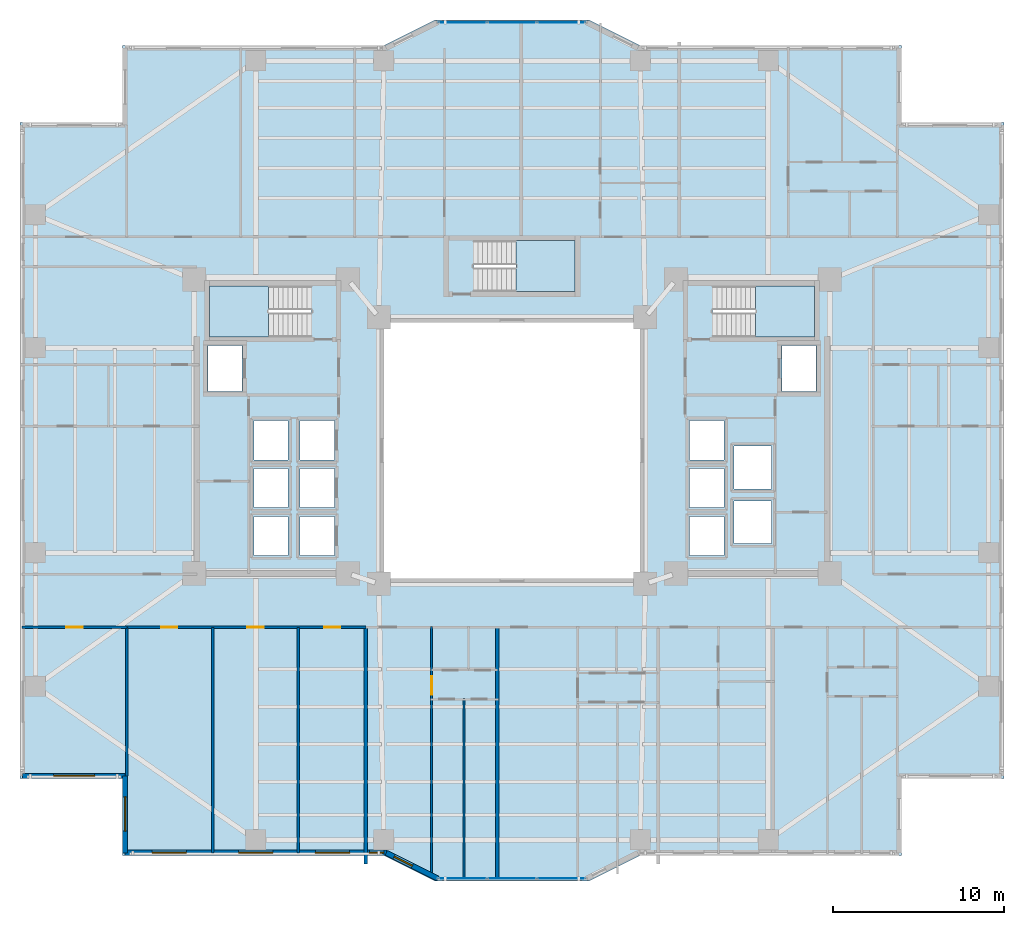
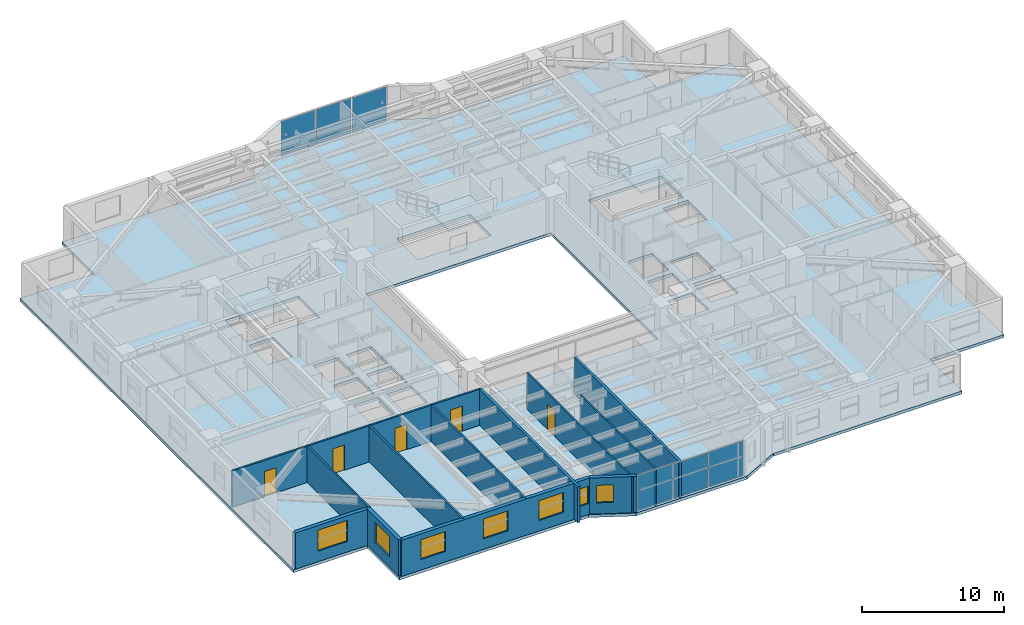
# One storey, part 9 of 21: 13 walls, 7 windows, 6 plates, 5 doors, 4 slabs, 12 openings, 5 elements without a shape of their own.
"""IFC4 building model written with IfcOpenShell, lengths in metres."""

from ifc_helpers import new_model, si_unit, direction, frame, frame_2d, origin, origin_2d, place, context, subcontext, project, spatial, polyline, rectangle, outline, extrude, material, layer, layer_set, type_object, element, fill, aggregate, save


model = new_model("IFC4")

# Units and contexts
model_context = context("Model", 3, precision=1e-05, world=origin(), true_north=direction((0.0, 1.0)))
body_context = subcontext(model_context, "Body", "Model", "MODEL_VIEW")
ifc_project = project(units=[si_unit("LENGTHUNIT", "METRE"), si_unit("AREAUNIT", "SQUARE_METRE"), si_unit("VOLUMEUNIT", "CUBIC_METRE"), si_unit("PLANEANGLEUNIT", "RADIAN"), si_unit("MASSUNIT", "GRAM", prefix="KILO")], contexts=[model_context])

# Site, building, storey
site_placement = place(None, origin())
site = spatial("IfcSite", under=ifc_project, at=site_placement, CompositionType="ELEMENT")
building_placement = place(site_placement, origin())
building = spatial("IfcBuilding", under=site, at=building_placement, Name="Tarnavaz Court Tower", CompositionType="ELEMENT")
storey_placement = place(building_placement, frame((0.0, 0.0, 47.449951171875)))
storey = spatial("IfcBuildingStorey", under=building, at=storey_placement, Name="L12", CompositionType="ELEMENT", Elevation=47.449951171875)

# Curtain wall, plates
ifc_material_1 = material(Name="Anodised Aluminium 6063-T6 and Solar Low-E Glazing", Category="aluminium")
ifc_layer_1 = layer(ifc_material_1, 0.179931640625)
ifc_layer_set_1 = layer_set([ifc_layer_1], Name="Anodised Aluminium 6063-T6 and Solar Low-E Glazing")
curtain_wall_type = type_object("IfcCurtainWallType", Name="CW-SYS-02", PredefinedType="NOTDEFINED", material=ifc_layer_set_1)
curtain_wall_1_placement = place(storey_placement, origin())
curtain_wall_1 = element("IfcCurtainWall", 1, at=curtain_wall_1_placement, inside=storey, type_object=curtain_wall_type, Name="L12 Iwan Prow Curtain Wall 7", PredefinedType="NOTDEFINED")
ifc_material_2 = material(Name="Double-Glazed Solar Low-E Glass", Category="glass")
ifc_layer_2 = layer(ifc_material_2, 0.028076171875)
ifc_layer_set_2 = layer_set([ifc_layer_2], Name="Double-Glazed Solar Low-E Glass")
plate_type = type_object("IfcPlateType", Name="CW-PAN-GLZ28", PredefinedType="CURTAIN_PANEL", material=ifc_layer_set_2)
plate_1_placement = place(storey_placement, frame((-2.88134765625, 25.050048828125, 0.06494140625), z_axis=(0.0, 0.0, 1.0), x_axis=(1.0, 0.0, 0.0)))
plate_1 = element("IfcPlate", 2, at=plate_1_placement, type_object=plate_type, Name="CW panel 1.1", PredefinedType="CURTAIN_PANEL", context=body_context, shape_type="SweptSolid", body=[
    extrude(rectangle(XDim=2.78759765625, YDim=0.028076171875, at=origin_2d()), origin(), (0.0, 0.0, 1.0), 2.969970703125),
])
plate_2_placement = place(storey_placement, frame((0.0, 25.050048828125, 0.06494140625), z_axis=(0.0, 0.0, 1.0), x_axis=(1.0, 0.0, 0.0)))
plate_2 = element("IfcPlate", 3, at=plate_2_placement, type_object=plate_type, Name="CW panel 2.1", PredefinedType="CURTAIN_PANEL", context=body_context, shape_type="SweptSolid", body=[
    extrude(rectangle(XDim=2.824951171875, YDim=0.028076171875, at=origin_2d()), origin(), (0.0, 0.0, 1.0), 2.969970703125),
])
plate_3_placement = place(storey_placement, frame((2.88134765625, 25.050048828125, 0.06494140625), z_axis=(0.0, 0.0, 1.0), x_axis=(1.0, 0.0, 0.0)))
plate_3 = element("IfcPlate", 4, at=plate_3_placement, type_object=plate_type, Name="CW panel 3.1", PredefinedType="CURTAIN_PANEL", context=body_context, shape_type="SweptSolid", body=[
    extrude(rectangle(XDim=2.78759765625, YDim=0.028076171875, at=origin_2d()), origin(), (0.0, 0.0, 1.0), 2.969970703125),
])
aggregate(curtain_wall_1, [plate_1, plate_2, plate_3])

curtain_wall_2_placement = place(storey_placement, origin())
curtain_wall_2 = element("IfcCurtainWall", 5, at=curtain_wall_2_placement, inside=storey, type_object=curtain_wall_type, Name="L12 Iwan Prow Curtain Wall 17", PredefinedType="NOTDEFINED")
plate_4_placement = place(storey_placement, frame((2.88134765625, -25.050048828125, 0.06494140625), z_axis=(0.0, 0.0, 1.0), x_axis=(-1.0, 0.0, 0.0)))
plate_4 = element("IfcPlate", 6, at=plate_4_placement, type_object=plate_type, Name="CW panel 1.1", PredefinedType="CURTAIN_PANEL", context=body_context, shape_type="SweptSolid", body=[
    extrude(rectangle(XDim=2.78759765625, YDim=0.028076171875, at=origin_2d()), origin(), (0.0, 0.0, 1.0), 2.969970703125),
])
plate_5_placement = place(storey_placement, frame((0.0, -25.050048828125, 0.06494140625), z_axis=(0.0, 0.0, 1.0), x_axis=(-1.0, 0.0, 0.0)))
plate_5 = element("IfcPlate", 7, at=plate_5_placement, type_object=plate_type, Name="CW panel 2.1", PredefinedType="CURTAIN_PANEL", context=body_context, shape_type="SweptSolid", body=[
    extrude(rectangle(XDim=2.824951171875, YDim=0.028076171875, at=origin_2d()), origin(), (0.0, 0.0, 1.0), 2.969970703125),
])
plate_6_placement = place(storey_placement, frame((-2.88134765625, -25.050048828125, 0.06494140625), z_axis=(0.0, 0.0, 1.0), x_axis=(-1.0, 0.0, 0.0)))
plate_6 = element("IfcPlate", 8, at=plate_6_placement, type_object=plate_type, Name="CW panel 3.1", PredefinedType="CURTAIN_PANEL", context=body_context, shape_type="SweptSolid", body=[
    extrude(rectangle(XDim=2.78759765625, YDim=0.028076171875, at=origin_2d()), origin(), (0.0, 0.0, 1.0), 2.969970703125),
])
aggregate(curtain_wall_2, [plate_4, plate_5, plate_6])

# Stair, slab
ifc_material_3 = material(Name="Concrete C40/50", Category="concrete")
stair_type = type_object("IfcStairType", Name="ST-TWR-20R", PredefinedType="HALF_TURN_STAIR", material=ifc_material_3)
stair_1_placement = place(storey_placement, origin())
stair_1 = element("IfcStair", 9, at=stair_1_placement, inside=storey, type_object=stair_type, Name="L12 West Core Pressurized Exit Stair ST-W1", PredefinedType="HALF_TURN_STAIR")
ifc_layer_3 = layer(ifc_material_3, 0.199951171875)
ifc_layer_set_3 = layer_set([ifc_layer_3], Name="Concrete C40/50")
slab_type_1 = type_object("IfcSlabType", Name="SL-LAND-200", PredefinedType="LANDING", material=ifc_layer_set_3)
slab_1_placement = place(storey_placement, frame((0.0, 0.0, 1.47509765625)))
slab_1 = element("IfcSlab", 10, at=slab_1_placement, type_object=slab_type_1, Name="ST-W1 landing 1", PredefinedType="LANDING", context=body_context, shape_type="SweptSolid", body=[
    extrude(outline(polyline([(-14.239990234375, 9.639892578125), (-17.699951171875, 9.639892578125), (-17.699951171875, 6.64990234375), (-14.239990234375, 6.64990234375), (-14.239990234375, 9.639892578125)])), origin(), (0.0, 0.0, 1.0), 0.199951171875),
])
aggregate(stair_1, [slab_1])

stair_2_placement = place(storey_placement, origin())
stair_2 = element("IfcStair", 11, at=stair_2_placement, inside=storey, type_object=stair_type, Name="L12 East Core Pressurized Exit Stair ST-E1", PredefinedType="HALF_TURN_STAIR")
slab_2_placement = place(storey_placement, frame((0.0, 0.0, 1.47509765625)))
slab_2 = element("IfcSlab", 12, at=slab_2_placement, type_object=slab_type_1, Name="ST-E1 landing 1", PredefinedType="LANDING", context=body_context, shape_type="SweptSolid", body=[
    extrude(outline(polyline([(14.239990234375, 6.64990234375), (17.699951171875, 6.64990234375), (17.699951171875, 9.639892578125), (14.239990234375, 9.639892578125), (14.239990234375, 6.64990234375)])), origin(), (0.0, 0.0, 1.0), 0.199951171875),
])
aggregate(stair_2, [slab_2])

stair_3_placement = place(storey_placement, origin())
stair_3 = element("IfcStair", 13, at=stair_3_placement, inside=storey, type_object=stair_type, Name="L12 North Ring Pressurized Exit Stair ST-N1", PredefinedType="HALF_TURN_STAIR")
slab_3_placement = place(storey_placement, frame((0.0, 0.0, 1.47509765625)))
slab_3 = element("IfcSlab", 14, at=slab_3_placement, type_object=slab_type_1, Name="ST-N1 landing 1", PredefinedType="LANDING", context=body_context, shape_type="SweptSolid", body=[
    extrude(outline(polyline([(0.239990234375, 9.300048828125), (3.699951171875, 9.300048828125), (3.699951171875, 12.2900390625), (0.239990234375, 12.2900390625), (0.239990234375, 9.300048828125)])), origin(), (0.0, 0.0, 1.0), 0.199951171875),
])
aggregate(stair_3, [slab_3])

# Slab
ifc_layer_4 = layer(ifc_material_3, 0.25)
ifc_layer_set_4 = layer_set([ifc_layer_4], Name="Concrete C40/50")
slab_type_2 = type_object("IfcSlabType", Name="SL-RES-250", PredefinedType="FLOOR", material=ifc_layer_set_4)
slab_4_placement = place(storey_placement, frame((0.0, 0.0, -0.25)))
element("IfcSlab", 15, at=slab_4_placement, inside=storey, type_object=slab_type_2, Name="L12 Structural Floor Slab", PredefinedType="FLOOR", context=body_context, shape_type="SweptSolid", body=[
    extrude(outline(polyline([(-22.800048828125, -23.699951171875), (-7.5, -23.699951171875), (-4.5, -25.199951171875), (4.5, -25.199951171875), (7.5, -23.699951171875), (22.800048828125, -23.699951171875), (22.800048828125, -19.199951171875), (28.800048828125, -19.199951171875), (28.800048828125, 19.199951171875), (22.800048828125, 19.199951171875), (22.800048828125, 23.699951171875), (7.5, 23.699951171875), (4.5, 25.199951171875), (-4.5, 25.199951171875), (-7.5, 23.699951171875), (-22.800048828125, 23.699951171875), (-22.800048828125, 19.199951171875), (-28.800048828125, 19.199951171875), (-28.800048828125, -19.199951171875), (-22.800048828125, -19.199951171875), (-22.800048828125, -23.699951171875)]), holes=[polyline([(-7.5, -7.5), (7.5, -7.5), (7.5, 7.5), (-7.5, 7.5), (-7.5, -7.5)]), polyline([(-11.7451171875, 9.639892578125), (-17.699951171875, 9.639892578125), (-17.699951171875, 6.64990234375), (-11.7451171875, 6.64990234375), (-11.7451171875, 9.639892578125)]), polyline([(11.7451171875, 6.64990234375), (17.699951171875, 6.64990234375), (17.699951171875, 9.639892578125), (11.7451171875, 9.639892578125), (11.7451171875, 6.64990234375)]), polyline([(-2.2548828125, 9.300048828125), (3.699951171875, 9.300048828125), (3.699951171875, 12.2900390625), (-2.2548828125, 12.2900390625), (-2.2548828125, 9.300048828125)]), polyline([(-17.800048828125, 3.449951171875), (-15.800048828125, 3.449951171875), (-15.800048828125, 6.14990234375), (-17.800048828125, 6.14990234375), (-17.800048828125, 3.449951171875)]), polyline([(-12.39990234375, -6.14990234375), (-10.39990234375, -6.14990234375), (-10.39990234375, -3.85009765625), (-12.39990234375, -3.85009765625), (-12.39990234375, -6.14990234375)]), polyline([(-12.39990234375, -3.35009765625), (-10.39990234375, -3.35009765625), (-10.39990234375, -1.050048828125), (-12.39990234375, -1.050048828125), (-12.39990234375, -3.35009765625)]), polyline([(-12.39990234375, -0.550048828125), (-10.39990234375, -0.550048828125), (-10.39990234375, 1.75), (-12.39990234375, 1.75), (-12.39990234375, -0.550048828125)]), polyline([(-15.10009765625, -6.14990234375), (-13.10009765625, -6.14990234375), (-13.10009765625, -3.85009765625), (-15.10009765625, -3.85009765625), (-15.10009765625, -6.14990234375)]), polyline([(-15.10009765625, -3.35009765625), (-13.10009765625, -3.35009765625), (-13.10009765625, -1.050048828125), (-15.10009765625, -1.050048828125), (-15.10009765625, -3.35009765625)]), polyline([(-15.10009765625, -0.550048828125), (-13.10009765625, -0.550048828125), (-13.10009765625, 1.75), (-15.10009765625, 1.75), (-15.10009765625, -0.550048828125)]), polyline([(15.800048828125, 3.449951171875), (17.800048828125, 3.449951171875), (17.800048828125, 6.14990234375), (15.800048828125, 6.14990234375), (15.800048828125, 3.449951171875)]), polyline([(10.39990234375, -6.14990234375), (12.39990234375, -6.14990234375), (12.39990234375, -3.85009765625), (10.39990234375, -3.85009765625), (10.39990234375, -6.14990234375)]), polyline([(10.39990234375, -3.35009765625), (12.39990234375, -3.35009765625), (12.39990234375, -1.050048828125), (10.39990234375, -1.050048828125), (10.39990234375, -3.35009765625)]), polyline([(10.39990234375, -0.550048828125), (12.39990234375, -0.550048828125), (12.39990234375, 1.75), (10.39990234375, 1.75), (10.39990234375, -0.550048828125)]), polyline([(13.0, -5.449951171875), (15.199951171875, -5.449951171875), (15.199951171875, -2.949951171875), (13.0, -2.949951171875), (13.0, -5.449951171875)]), polyline([(13.0, -2.25), (15.199951171875, -2.25), (15.199951171875, 0.25), (13.0, 0.25), (13.0, -2.25)])]), origin(), (0.0, 0.0, 1.0), 0.25),
])

# Wall, opening, window
ifc_material_4 = material(Name="Precast Concrete C40/50", Category="concrete")
ifc_layer_5 = layer(ifc_material_4, 0.300048828125)
ifc_layer_set_5 = layer_set([ifc_layer_5], Name="Precast Concrete C40/50")
wall_type_1 = type_object("IfcWallType", Name="WL-EXT-300", PredefinedType="SOLIDWALL", material=ifc_layer_set_5)
wall_1_placement = place(storey_placement, frame((-22.64990234375, -19.050048828125, 0.0), z_axis=(0.0, 0.0, 1.0), x_axis=(-1.0, 0.0, 0.0)))
wall_1 = element("IfcWall", 16, at=wall_1_placement, inside=storey, type_object=wall_type_1, Name="L12 Exterior Terracotta Facade Wall 01", PredefinedType="SOLIDWALL", context=body_context, shape_type="SweptSolid", body=[
    extrude(rectangle(XDim=6.0, YDim=0.300048828125, at=frame_2d((3.0, 0.0))), origin(), (0.0, 0.0, 1.0), 3.10009765625),
])
opening_1_placement = place(wall_1_placement, frame((1.77490234375, 0.0, 0.89990234375)))
opening_1 = element("IfcOpeningElement", 17, at=opening_1_placement, cuts=wall_1, Name="Opening W06", PredefinedType="OPENING", context=body_context, shape_type="SweptSolid", body=[
    extrude(rectangle(XDim=2.39990234375, YDim=1.800048828125, at=frame_2d((1.199951171875, 0.89990234375))), frame((0.0, 0.159912109375, 0.0), z_axis=(0.0, -1.0, 0.0), x_axis=(1.0, 0.0, 0.0)), (0.0, 0.0, 1.0), 0.320068359375),
])
window_type_1 = type_object("IfcWindowType", Name="WN-APT-2400", PartitioningType="TRIPLE_PANEL_VERTICAL", PredefinedType="WINDOW", material=ifc_material_2)
window_1_placement = place(opening_1_placement, origin())
window_1 = element("IfcWindow", 18, at=window_1_placement, inside=storey, type_object=window_type_1, Name="L12 South-West Corner Reading Room Window", OverallHeight=1.800048828125, OverallWidth=2.39990234375, PartitioningType="SINGLE_PANEL", PredefinedType="WINDOW", context=body_context, shape_type="SweptSolid", body=[
    extrude(rectangle(XDim=2.39990234375, YDim=1.800048828125, at=frame_2d((1.199951171875, 0.89990234375))), frame((0.0, 0.030029296875, 0.0), z_axis=(0.0, -1.0, 0.0), x_axis=(1.0, 0.0, 0.0)), (0.0, 0.0, 1.0), 0.06005859375),
])
fill(opening_1, window_1)

wall_2_placement = place(storey_placement, frame((-4.35009765625, -25.050048828125, 0.0), z_axis=(0.0, 0.0, 1.0), x_axis=(-0.894427191, 0.4472135955, 0.0)))
wall_2 = element("IfcWall", 19, at=wall_2_placement, inside=storey, type_object=wall_type_1, Name="L12 Exterior Terracotta Facade Wall 18", PredefinedType="SOLIDWALL", context=body_context, shape_type="SweptSolid", body=[
    extrude(rectangle(XDim=3.35400390625, YDim=0.300048828125, at=frame_2d((1.677001953125, 0.0))), origin(), (0.0, 0.0, 1.0), 3.10009765625),
])
opening_2_placement = place(wall_2_placement, frame((1.65283203125, 0.0, 0.949951171875)))
opening_2 = element("IfcOpeningElement", 20, at=opening_2_placement, cuts=wall_2, Name="Opening W05", PredefinedType="OPENING", context=body_context, shape_type="SweptSolid", body=[
    extrude(rectangle(XDim=1.199951171875, YDim=1.5, at=frame_2d((0.60009765625, 0.75))), frame((0.0, 0.159912109375, 0.0), z_axis=(0.0, -1.0, 0.0), x_axis=(1.0, 0.0, 0.0)), (0.0, 0.0, 1.0), 0.320068359375),
])
window_type_2 = type_object("IfcWindowType", Name="WN-APT-1200", PartitioningType="SINGLE_PANEL", PredefinedType="WINDOW", material=ifc_material_2)
window_2_placement = place(opening_2_placement, origin())
window_2 = element("IfcWindow", 21, at=window_2_placement, inside=storey, type_object=window_type_2, Name="L12 Flat 05 Living and Dining Room Window", OverallHeight=1.5, OverallWidth=1.199951171875, PartitioningType="SINGLE_PANEL", PredefinedType="WINDOW", context=body_context, shape_type="SweptSolid", body=[
    extrude(rectangle(XDim=1.199951171875, YDim=1.5, at=frame_2d((0.60009765625, 0.75))), frame((0.0, 0.030029296875, 0.0), z_axis=(0.0, -1.0, 0.0), x_axis=(1.0, 0.0, 0.0)), (0.0, 0.0, 1.0), 0.06005859375),
])
fill(opening_2, window_2)

# Wall, openings, windows
wall_3_placement = place(storey_placement, frame((-7.35009765625, -23.550048828125, 0.0), z_axis=(0.0, 0.0, 1.0), x_axis=(-1.0, 0.0, 0.0)))
wall_3 = element("IfcWall", 22, at=wall_3_placement, inside=storey, type_object=wall_type_1, Name="L12 Exterior Terracotta Facade Wall 19", PredefinedType="SOLIDWALL", context=body_context, shape_type="SweptSolid", body=[
    extrude(rectangle(XDim=15.2998046875, YDim=0.300048828125, at=frame_2d((7.64990234375, 0.0))), origin(), (0.0, 0.0, 1.0), 3.10009765625),
])
opening_3_placement = place(wall_3_placement, frame((0.146728515625, 0.0, 0.949951171875)))
opening_3 = element("IfcOpeningElement", 23, at=opening_3_placement, cuts=wall_3, Name="Opening W15", PredefinedType="OPENING", context=body_context, shape_type="SweptSolid", body=[
    extrude(rectangle(XDim=0.85009765625, YDim=1.5, at=frame_2d((0.425048828125, 0.75))), frame((0.0, 0.159912109375, 0.0), z_axis=(0.0, -1.0, 0.0), x_axis=(1.0, 0.0, 0.0)), (0.0, 0.0, 1.0), 0.320068359375),
])
opening_4_placement = place(wall_3_placement, frame((2.160400390625, 0.0, 0.89990234375)))
opening_4 = element("IfcOpeningElement", 24, at=opening_4_placement, cuts=wall_3, Name="Opening W08", PredefinedType="OPENING", context=body_context, shape_type="SweptSolid", body=[
    extrude(rectangle(XDim=2.0, YDim=1.699951171875, at=frame_2d((1.0, 0.85009765625))), frame((0.0, 0.159912109375, 0.0), z_axis=(0.0, -1.0, 0.0), x_axis=(1.0, 0.0, 0.0)), (0.0, 0.0, 1.0), 0.320068359375),
])
opening_5_placement = place(wall_3_placement, frame((6.64990234375, 0.0, 0.89990234375)))
opening_5 = element("IfcOpeningElement", 25, at=opening_5_placement, cuts=wall_3, Name="Opening W08", PredefinedType="OPENING", context=body_context, shape_type="SweptSolid", body=[
    extrude(rectangle(XDim=2.0, YDim=1.699951171875, at=frame_2d((1.0, 0.85009765625))), frame((0.0, 0.159912109375, 0.0), z_axis=(0.0, -1.0, 0.0), x_axis=(1.0, 0.0, 0.0)), (0.0, 0.0, 1.0), 0.320068359375),
])
opening_6_placement = place(wall_3_placement, frame((11.716552734375, 0.0, 0.89990234375)))
opening_6 = element("IfcOpeningElement", 26, at=opening_6_placement, cuts=wall_3, Name="Opening W08", PredefinedType="OPENING", context=body_context, shape_type="SweptSolid", body=[
    extrude(rectangle(XDim=2.0, YDim=1.699951171875, at=frame_2d((1.0, 0.85009765625))), frame((0.0, 0.159912109375, 0.0), z_axis=(0.0, -1.0, 0.0), x_axis=(1.0, 0.0, 0.0)), (0.0, 0.0, 1.0), 0.320068359375),
])
window_type_3 = type_object("IfcWindowType", Name="WN-APT-2000", PartitioningType="DOUBLE_PANEL_VERTICAL", PredefinedType="WINDOW", material=ifc_material_2)
window_3_placement = place(opening_4_placement, origin())
window_3 = element("IfcWindow", 27, at=window_3_placement, inside=storey, type_object=window_type_3, Name="L12 Resident Focus Seminar Room Window", OverallHeight=1.699951171875, OverallWidth=2.0, PartitioningType="SINGLE_PANEL", PredefinedType="WINDOW", context=body_context, shape_type="SweptSolid", body=[
    extrude(rectangle(XDim=2.0, YDim=1.699951171875, at=frame_2d((1.0, 0.85009765625))), frame((0.0, 0.030029296875, 0.0), z_axis=(0.0, -1.0, 0.0), x_axis=(1.0, 0.0, 0.0)), (0.0, 0.0, 1.0), 0.06005859375),
])
fill(opening_4, window_3)
window_4_placement = place(opening_5_placement, origin())
window_4 = element("IfcWindow", 28, at=window_4_placement, inside=storey, type_object=window_type_3, Name="L12 Quiet Reading Library Room Window", OverallHeight=1.699951171875, OverallWidth=2.0, PartitioningType="SINGLE_PANEL", PredefinedType="WINDOW", context=body_context, shape_type="SweptSolid", body=[
    extrude(rectangle(XDim=2.0, YDim=1.699951171875, at=frame_2d((1.0, 0.85009765625))), frame((0.0, 0.030029296875, 0.0), z_axis=(0.0, -1.0, 0.0), x_axis=(1.0, 0.0, 0.0)), (0.0, 0.0, 1.0), 0.06005859375),
])
fill(opening_5, window_4)
window_5_placement = place(opening_6_placement, origin())
window_5 = element("IfcWindow", 29, at=window_5_placement, inside=storey, type_object=window_type_3, Name="L12 Resident Co-Working Study Room Window", OverallHeight=1.699951171875, OverallWidth=2.0, PartitioningType="SINGLE_PANEL", PredefinedType="WINDOW", context=body_context, shape_type="SweptSolid", body=[
    extrude(rectangle(XDim=2.0, YDim=1.699951171875, at=frame_2d((1.0, 0.85009765625))), frame((0.0, 0.030029296875, 0.0), z_axis=(0.0, -1.0, 0.0), x_axis=(1.0, 0.0, 0.0)), (0.0, 0.0, 1.0), 0.06005859375),
])
fill(opening_6, window_5)
window_type_4 = type_object("IfcWindowType", Name="WN-APT-850", PartitioningType="SINGLE_PANEL", PredefinedType="WINDOW", material=ifc_material_2)
window_6_placement = place(opening_3_placement, origin())
window_6 = element("IfcWindow", 30, at=window_6_placement, inside=storey, type_object=window_type_4, Name="L12 Flat 05 Living and Dining Room Window", OverallHeight=1.5, OverallWidth=0.85009765625, PartitioningType="SINGLE_PANEL", PredefinedType="WINDOW", context=body_context, shape_type="SweptSolid", body=[
    extrude(rectangle(XDim=0.85009765625, YDim=1.5, at=frame_2d((0.425048828125, 0.75))), frame((0.0, 0.030029296875, 0.0), z_axis=(0.0, -1.0, 0.0), x_axis=(1.0, 0.0, 0.0)), (0.0, 0.0, 1.0), 0.06005859375),
])
fill(opening_3, window_6)

# Wall, opening, window
wall_4_placement = place(storey_placement, frame((-22.64990234375, -23.550048828125, 0.0), z_axis=(0.0, 0.0, 1.0), x_axis=(0.0, 1.0, 0.0)))
wall_4 = element("IfcWall", 31, at=wall_4_placement, inside=storey, type_object=wall_type_1, Name="L12 Exterior Terracotta Facade Wall 20", PredefinedType="SOLIDWALL", context=body_context, shape_type="SweptSolid", body=[
    extrude(rectangle(XDim=4.5, YDim=0.300048828125, at=frame_2d((2.25, 0.0))), origin(), (0.0, 0.0, 1.0), 3.10009765625),
])
opening_7_placement = place(wall_4_placement, frame((1.267578125, 0.0, 0.89990234375)))
opening_7 = element("IfcOpeningElement", 32, at=opening_7_placement, cuts=wall_4, Name="Opening W08", PredefinedType="OPENING", context=body_context, shape_type="SweptSolid", body=[
    extrude(rectangle(XDim=2.0, YDim=1.699951171875, at=frame_2d((1.0, 0.85009765625))), frame((0.0, 0.159912109375, 0.0), z_axis=(0.0, -1.0, 0.0), x_axis=(1.0, 0.0, 0.0)), (0.0, 0.0, 1.0), 0.320068359375),
])
window_7_placement = place(opening_7_placement, origin())
window_7 = element("IfcWindow", 33, at=window_7_placement, inside=storey, type_object=window_type_3, Name="L12 Resident Co-Working Study Room Window", OverallHeight=1.699951171875, OverallWidth=2.0, PartitioningType="SINGLE_PANEL", PredefinedType="WINDOW", context=body_context, shape_type="SweptSolid", body=[
    extrude(rectangle(XDim=2.0, YDim=1.699951171875, at=frame_2d((1.0, 0.85009765625))), frame((0.0, 0.030029296875, 0.0), z_axis=(0.0, -1.0, 0.0), x_axis=(1.0, 0.0, 0.0)), (0.0, 0.0, 1.0), 0.06005859375),
])
fill(opening_7, window_7)

# Wall, openings, doors
ifc_material_5 = material(Name="Gypsum Fire-Board on Acoustic Metal Stud", Category="masonry")
ifc_layer_6 = layer(ifc_material_5, 0.14990234375)
ifc_layer_set_6 = layer_set([ifc_layer_6], Name="Gypsum Fire-Board on Acoustic Metal Stud")
wall_type_2 = type_object("IfcWallType", Name="WL-FIRE-150", PredefinedType="PARTITIONING", material=ifc_layer_set_6)
wall_5_placement = place(storey_placement, frame((-22.550048828125, -10.35009765625, 0.0), z_axis=(0.0, 0.0, 1.0), x_axis=(1.0, 0.0, 0.0)))
wall_5 = element("IfcWall", 34, at=wall_5_placement, inside=storey, type_object=wall_type_2, Name="L12 SW Corridor Wall 084", PredefinedType="PARTITIONING", context=body_context, shape_type="SweptSolid", body=[
    extrude(rectangle(XDim=14.0, YDim=0.14990234375, at=frame_2d((7.0, 0.0))), origin(), (0.0, 0.0, 1.0), 3.10009765625),
])
opening_8_placement = place(wall_5_placement, frame((2.006103515625, 0.0, 0.0)))
opening_8 = element("IfcOpeningElement", 35, at=opening_8_placement, cuts=wall_5, Name="Opening D13", PredefinedType="OPENING", context=body_context, shape_type="SweptSolid", body=[
    extrude(rectangle(XDim=0.949951171875, YDim=2.14990234375, at=frame_2d((0.47509765625, 1.074951171875))), frame((0.0, 0.0849609375, 0.0), z_axis=(0.0, -1.0, 0.0), x_axis=(1.0, 0.0, 0.0)), (0.0, 0.0, 1.0), 0.169921875),
])
opening_9_placement = place(wall_5_placement, frame((7.05810546875, 0.0, 0.0)))
opening_9 = element("IfcOpeningElement", 36, at=opening_9_placement, cuts=wall_5, Name="Opening D13", PredefinedType="OPENING", context=body_context, shape_type="SweptSolid", body=[
    extrude(rectangle(XDim=0.949951171875, YDim=2.14990234375, at=frame_2d((0.47509765625, 1.074951171875))), frame((0.0, 0.0849609375, 0.0), z_axis=(0.0, -1.0, 0.0), x_axis=(1.0, 0.0, 0.0)), (0.0, 0.0, 1.0), 0.169921875),
])
opening_10_placement = place(wall_5_placement, frame((11.552001953125, 0.0, 0.0)))
opening_10 = element("IfcOpeningElement", 37, at=opening_10_placement, cuts=wall_5, Name="Opening D13", PredefinedType="OPENING", context=body_context, shape_type="SweptSolid", body=[
    extrude(rectangle(XDim=0.949951171875, YDim=2.14990234375, at=frame_2d((0.47509765625, 1.074951171875))), frame((0.0, 0.0849609375, 0.0), z_axis=(0.0, -1.0, 0.0), x_axis=(1.0, 0.0, 0.0)), (0.0, 0.0, 1.0), 0.169921875),
])
ifc_material_6 = material(Name="Engineered Oak Timber", Category="wood")
door_type_1 = type_object("IfcDoorType", Name="DR-INT-950", OperationType="NOTDEFINED", PredefinedType="DOOR", material=ifc_material_6)
door_1_placement = place(opening_8_placement, origin())
door_1 = element("IfcDoor", 38, at=door_1_placement, inside=storey, type_object=door_type_1, Name="L12 Resident Co-Working Study Room Door", OperationType="SINGLE_SWING_RIGHT", OverallHeight=2.14990234375, OverallWidth=0.949951171875, PredefinedType="DOOR", context=body_context, shape_type="SweptSolid", body=[
    extrude(rectangle(XDim=0.949951171875, YDim=2.14990234375, at=frame_2d((0.47509765625, 1.074951171875))), frame((0.0, 0.02490234375, 0.0), z_axis=(0.0, -1.0, 0.0), x_axis=(1.0, 0.0, 0.0)), (0.0, 0.0, 1.0), 0.050048828125),
])
fill(opening_8, door_1)
door_2_placement = place(opening_9_placement, origin())
door_2 = element("IfcDoor", 39, at=door_2_placement, inside=storey, type_object=door_type_1, Name="L12 Quiet Reading Library Room Door", OperationType="SINGLE_SWING_LEFT", OverallHeight=2.14990234375, OverallWidth=0.949951171875, PredefinedType="DOOR", context=body_context, shape_type="SweptSolid", body=[
    extrude(rectangle(XDim=0.949951171875, YDim=2.14990234375, at=frame_2d((0.47509765625, 1.074951171875))), frame((0.0, 0.02490234375, 0.0), z_axis=(0.0, -1.0, 0.0), x_axis=(1.0, 0.0, 0.0)), (0.0, 0.0, 1.0), 0.050048828125),
])
fill(opening_9, door_2)
door_3_placement = place(opening_10_placement, origin())
door_3 = element("IfcDoor", 40, at=door_3_placement, inside=storey, type_object=door_type_1, Name="L12 Resident Focus Seminar Room Door", OperationType="SINGLE_SWING_RIGHT", OverallHeight=2.14990234375, OverallWidth=0.949951171875, PredefinedType="DOOR", context=body_context, shape_type="SweptSolid", body=[
    extrude(rectangle(XDim=0.949951171875, YDim=2.14990234375, at=frame_2d((0.47509765625, 1.074951171875))), frame((0.0, 0.02490234375, 0.0), z_axis=(0.0, -1.0, 0.0), x_axis=(1.0, 0.0, 0.0)), (0.0, 0.0, 1.0), 0.050048828125),
])
fill(opening_10, door_3)

# Wall, opening, door
wall_6_placement = place(storey_placement, frame((-28.679931640625, -10.35009765625, 0.0), z_axis=(0.0, 0.0, 1.0), x_axis=(1.0, 0.0, 0.0)))
wall_6 = element("IfcWall", 41, at=wall_6_placement, inside=storey, type_object=wall_type_2, Name="L12 Interior Partition 138", PredefinedType="PARTITIONING", context=body_context, shape_type="SweptSolid", body=[
    extrude(rectangle(XDim=6.1298828125, YDim=0.14990234375, at=frame_2d((3.06494140625, 0.0))), origin(), (0.0, 0.0, 1.0), 3.10009765625),
])
opening_11_placement = place(wall_6_placement, frame((2.590087890625, 0.0, 0.0)))
opening_11 = element("IfcOpeningElement", 42, at=opening_11_placement, cuts=wall_6, Name="Opening D13", PredefinedType="OPENING", context=body_context, shape_type="SweptSolid", body=[
    extrude(rectangle(XDim=0.949951171875, YDim=2.14990234375, at=frame_2d((0.47509765625, 1.074951171875))), frame((0.0, 0.0849609375, 0.0), z_axis=(0.0, -1.0, 0.0), x_axis=(1.0, 0.0, 0.0)), (0.0, 0.0, 1.0), 0.169921875),
])
door_4_placement = place(opening_11_placement, origin())
door_4 = element("IfcDoor", 43, at=door_4_placement, inside=storey, type_object=door_type_1, Name="L12 SW Reading Room Door", OperationType="SINGLE_SWING_RIGHT", OverallHeight=2.14990234375, OverallWidth=0.949951171875, PredefinedType="DOOR", context=body_context, shape_type="SweptSolid", body=[
    extrude(rectangle(XDim=0.949951171875, YDim=2.14990234375, at=frame_2d((0.47509765625, 1.074951171875))), frame((0.0, 0.02490234375, 0.0), z_axis=(0.0, -1.0, 0.0), x_axis=(1.0, 0.0, 0.0)), (0.0, 0.0, 1.0), 0.050048828125),
])
fill(opening_11, door_4)

# Walls
ifc_material_7 = material(Name="Autoclaved Aerated Concrete Blockwork", Category="masonry")
ifc_layer_7 = layer(ifc_material_7, 0.199951171875)
ifc_layer_set_7 = layer_set([ifc_layer_7], Name="Autoclaved Aerated Concrete Blockwork")
wall_type_3 = type_object("IfcWallType", Name="WL-FIRE-200", PredefinedType="SOLIDWALL", material=ifc_layer_set_7)
wall_7_placement = place(storey_placement, frame((-8.550048828125, -24.2041015625, 0.0), z_axis=(0.0, 0.0, 1.0), x_axis=(0.0, 1.0, 0.0)))
element("IfcWall", 44, at=wall_7_placement, inside=storey, type_object=wall_type_3, Name="L12 Party Wall 113", PredefinedType="SOLIDWALL", context=body_context, shape_type="SweptSolid", body=[
    extrude(rectangle(XDim=13.85400390625, YDim=0.199951171875, at=frame_2d((6.927001953125, 0.0))), origin(), (0.0, 0.0, 1.0), 3.10009765625),
])
wall_8_placement = place(storey_placement, frame((-0.85498046875, -25.080078125, 0.0), z_axis=(0.0, 0.0, 1.0), x_axis=(0.0, 1.0, 0.0)))
element("IfcWall", 45, at=wall_8_placement, inside=storey, type_object=wall_type_3, Name="L12 Party Wall 115", PredefinedType="SOLIDWALL", context=body_context, shape_type="SweptSolid", body=[
    extrude(rectangle(XDim=14.72998046875, YDim=0.199951171875, at=frame_2d((7.364990234375, 0.0))), origin(), (0.0, 0.0, 1.0), 3.10009765625),
])

# Wall, opening, door
ifc_material_8 = material(Name="Moisture-Resistant Gypsum Board Partition", Category="masonry")
ifc_layer_8 = layer(ifc_material_8, 0.1201171875)
ifc_layer_set_8 = layer_set([ifc_layer_8], Name="Moisture-Resistant Gypsum Board Partition")
wall_type_4 = type_object("IfcWallType", Name="WL-PART-120", PredefinedType="PARTITIONING", material=ifc_layer_set_8)
wall_9_placement = place(storey_placement, frame((-4.702880859375, -25.080078125, 0.0), z_axis=(0.0, 0.0, 1.0), x_axis=(0.0, 1.0, 0.0)))
wall_9 = element("IfcWall", 46, at=wall_9_placement, inside=storey, type_object=wall_type_4, Name="L12 Interior Partition 116", PredefinedType="PARTITIONING", context=body_context, shape_type="SweptSolid", body=[
    extrude(rectangle(XDim=14.7900390625, YDim=0.1201171875, at=frame_2d((7.39501953125, 0.0))), origin(), (0.0, 0.0, 1.0), 3.10009765625),
])
opening_12_placement = place(wall_9_placement, frame((10.794921875, 0.0, 0.0)))
opening_12 = element("IfcOpeningElement", 47, at=opening_12_placement, cuts=wall_9, Name="Opening D12", PredefinedType="OPENING", context=body_context, shape_type="SweptSolid", body=[
    extrude(rectangle(XDim=1.080078125, YDim=2.14990234375, at=frame_2d((0.5400390625, 1.074951171875))), frame((0.0, 0.070068359375, 0.0), z_axis=(0.0, -1.0, 0.0), x_axis=(1.0, 0.0, 0.0)), (0.0, 0.0, 1.0), 0.14013671875),
])
door_type_2 = type_object("IfcDoorType", Name="DR-INT-1100", OperationType="NOTDEFINED", PredefinedType="DOOR", material=ifc_material_6)
door_5_placement = place(opening_12_placement, origin())
door_5 = element("IfcDoor", 48, at=door_5_placement, inside=storey, type_object=door_type_2, Name="L12 Flat 05 Foyer Door", OperationType="SINGLE_SWING_LEFT", OverallHeight=2.14990234375, OverallWidth=1.080078125, PredefinedType="DOOR", context=body_context, shape_type="SweptSolid", body=[
    extrude(rectangle(XDim=1.080078125, YDim=2.14990234375, at=frame_2d((0.5400390625, 1.074951171875))), frame((0.0, 0.02490234375, 0.0), z_axis=(0.0, -1.0, 0.0), x_axis=(1.0, 0.0, 0.0)), (0.0, 0.0, 1.0), 0.050048828125),
])
fill(opening_12, door_5)

# Walls
wall_10_placement = place(storey_placement, frame((-2.80908203125, -25.080078125, 0.0), z_axis=(0.0, 0.0, 1.0), x_axis=(0.0, 1.0, 0.0)))
element("IfcWall", 49, at=wall_10_placement, inside=storey, type_object=wall_type_4, Name="L12 Interior Partition 121", PredefinedType="PARTITIONING", context=body_context, shape_type="SweptSolid", body=[
    extrude(rectangle(XDim=10.570068359375, YDim=0.1201171875, at=frame_2d((5.28515625, 0.0))), origin(), (0.0, 0.0, 1.0), 3.10009765625),
])
ifc_material_9 = material(Name="Gypsum Plasterboard Acoustic Partition", Category="masonry")
ifc_layer_9 = layer(ifc_material_9, 0.139892578125)
ifc_layer_set_9 = layer_set([ifc_layer_9], Name="Gypsum Plasterboard Acoustic Partition")
wall_type_5 = type_object("IfcWallType", Name="WL-PART-150", PredefinedType="PARTITIONING", material=ifc_layer_set_9)
for number, where, z_axis, x_axis, name in (
    (50, (-17.528076171875, -23.550048828125, 0.0), (0.0, 0.0, 1.0), (0.0, 1.0, 0.0), "L12 Interior Partition 101"),
    (51, (-12.506103515625, -23.550048828125, 0.0), (0.0, 0.0, 1.0), (0.0, 1.0, 0.0), "L12 Interior Partition 102"),
):
    element("IfcWall", number, at=place(storey_placement, frame(where, z_axis=z_axis, x_axis=x_axis)), inside=storey, type_object=wall_type_5, Name=name, PredefinedType="PARTITIONING", context=body_context, shape_type="SweptSolid", body=[
        extrude(rectangle(XDim=13.199951171875, YDim=0.139892578125, at=frame_2d((6.60009765625, 0.0))), origin(), (0.0, 0.0, 1.0), 3.10009765625),
    ])
wall_11_placement = place(storey_placement, frame((-22.550048828125, -19.050048828125, 0.0), z_axis=(0.0, 0.0, 1.0), x_axis=(0.0, 1.0, 0.0)))
element("IfcWall", 52, at=wall_11_placement, inside=storey, type_object=wall_type_5, Name="L12 Interior Partition 132", PredefinedType="PARTITIONING", context=body_context, shape_type="SweptSolid", body=[
    extrude(rectangle(XDim=8.699951171875, YDim=0.139892578125, at=frame_2d((4.35009765625, 0.0))), origin(), (0.0, 0.0, 1.0), 3.10009765625),
])

save(model, "model.ifc")
